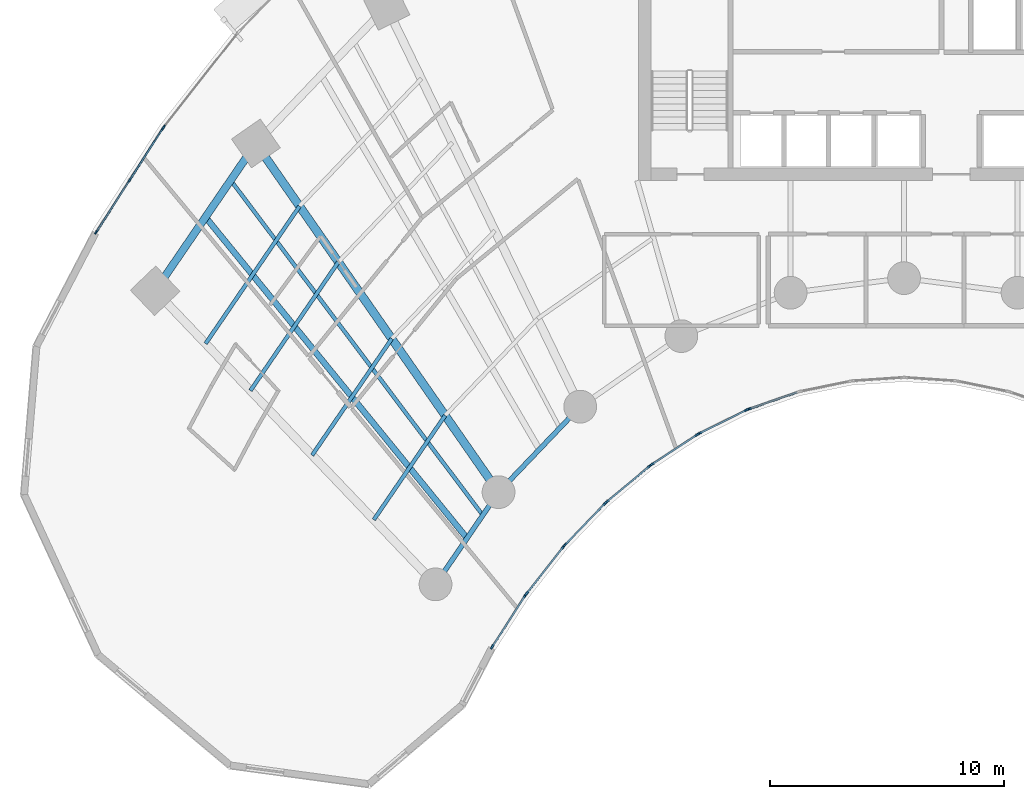
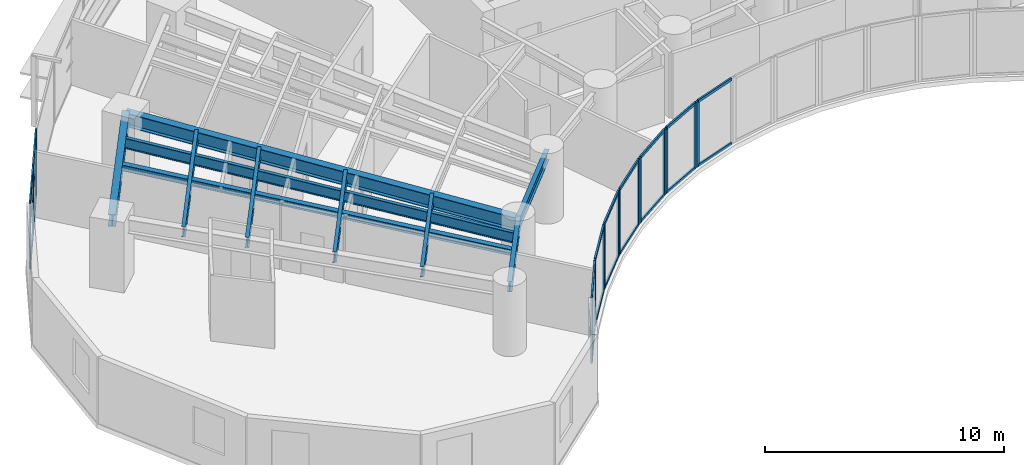
# One storey, part 2 of 17: 37 members, 10 beams, 9 elements without a shape of their own.
"""IFC4 building model written with IfcOpenShell, lengths in metres."""

from ifc_helpers import new_model, si_unit, direction, frame, origin, origin_2d, place, context, subcontext, project, spatial, rectangle, i_section, extrude, source, transform, mapped, material, layer, layer_set, material_profile, profile_set, type_object, type_shapes, element, aggregate, save


model = new_model("IFC4")

# Units and contexts
model_context = context("Model", 3, precision=1e-05, world=origin(), true_north=direction((0.0, 1.0)))
body_context = subcontext(model_context, "Body", "Model", "MODEL_VIEW")
ifc_project = project(units=[si_unit("LENGTHUNIT", "METRE"), si_unit("AREAUNIT", "SQUARE_METRE"), si_unit("VOLUMEUNIT", "CUBIC_METRE"), si_unit("PLANEANGLEUNIT", "RADIAN"), si_unit("MASSUNIT", "GRAM", prefix="KILO")], contexts=[model_context])

# Site, building, storey
site_placement = place(None, origin())
site = spatial("IfcSite", under=ifc_project, at=site_placement, CompositionType="ELEMENT")
building_placement = place(site_placement, origin())
building = spatial("IfcBuilding", under=site, at=building_placement, Name="Breltana Convention Tower", CompositionType="ELEMENT")
storey_placement = place(building_placement, frame((0.0, 0.0, 49.800048828125)))
storey = spatial("IfcBuildingStorey", under=building, at=storey_placement, Name="L10", CompositionType="ELEMENT", Elevation=49.800048828125)

# Beams
ifc_material_1 = material(Name="Steel ASTM A992 Grade 50", Category="steel")
ifc_material_profile_1 = material_profile(ifc_material_1, i_section(OverallWidth=0.323974609375, OverallDepth=0.611083984375, WebThickness=0.0126953125, FlangeThickness=0.01904296875, at=origin_2d()), Name="W24X104")
ifc_profile_set_1 = profile_set([ifc_material_profile_1], Name="Steel ASTM A992 Grade 50")
beam_type_1 = type_object("IfcBeamType", Name="BM-SP-W24X104", PredefinedType="SPANDREL", material=ifc_profile_set_1)
shared_shape_1 = source(origin(), body_context, "Body", "SweptSolid", [
    extrude(i_section(OverallWidth=0.323974609375, OverallDepth=0.611083984375, WebThickness=0.0126953125, FlangeThickness=0.01904296875, at=origin_2d()), origin(), (0.0, 0.0, 1.0), 7.625),
])
type_shapes(beam_type_1, [shared_shape_1])
beam_1_placement = place(storey_placement, frame((16.0068359375, 55.494384765625, 3.054443359375), z_axis=(0.564452031902, 0.825465870694, 0.0), x_axis=(-0.825465870694, 0.564452031902, 0.0)))
element("IfcBeam", 1, at=beam_1_placement, inside=storey, type_object=beam_type_1, Name="L10 Outer Spandrel Beam 01", PredefinedType="SPANDREL", context=body_context, shape_type="MappedRepresentation", body=[
    mapped(shared_shape_1, transform((0.0, 0.0, 0.0), scale=1.0)),
])
ifc_material_profile_2 = material_profile(ifc_material_1, i_section(OverallWidth=0.35498046875, OverallDepth=0.696044921875, WebThickness=0.015380859375, FlangeThickness=0.02490234375, at=origin_2d()), Name="W27X146")
ifc_profile_set_2 = profile_set([ifc_material_profile_2], Name="Steel ASTM A992 Grade 50")
beam_type_2 = type_object("IfcBeamType", Name="BM-RG-W27X146", PredefinedType="USERDEFINED", material=ifc_profile_set_2)
shared_shape_2 = source(origin(), body_context, "Body", "SweptSolid", [
    extrude(i_section(OverallWidth=0.35498046875, OverallDepth=0.696044921875, WebThickness=0.015380859375, FlangeThickness=0.02490234375, at=origin_2d()), origin(), (0.0, 0.0, 1.0), 18.1484375),
])
beam_2_placement = place(storey_placement, frame((30.67724609375, 46.892333984375, 3.011962890625), z_axis=(-0.571207556098, 0.820805657788, 0.0), x_axis=(-0.820805657788, -0.571207556098, 0.0)))
element("IfcBeam", 2, at=beam_2_placement, inside=storey, type_object=beam_type_2, Name="L10 Radial Floor Girder R02", ObjectType="GIRDER", PredefinedType="USERDEFINED", context=body_context, shape_type="MappedRepresentation", body=[
    mapped(shared_shape_2, transform((0.0, 0.0, 0.0), scale=1.0)),
])
ifc_material_profile_3 = material_profile(ifc_material_1, i_section(OverallWidth=0.2099609375, OverallDepth=0.537109375, WebThickness=0.010986328125, FlangeThickness=0.017333984375, at=origin_2d()), Name="W21X68")
ifc_profile_set_3 = profile_set([ifc_material_profile_3], Name="Steel ASTM A992 Grade 50")
beam_type_3 = type_object("IfcBeamType", Name="BM-BM-W21X68", PredefinedType="BEAM", material=ifc_profile_set_3)
shared_shape_3 = source(origin(), body_context, "Body", "SweptSolid", [
    extrude(i_section(OverallWidth=0.2099609375, OverallDepth=0.537109375, WebThickness=0.010986328125, FlangeThickness=0.017333984375, at=origin_2d()), origin(), (0.0, 0.0, 1.0), 4.770263671875),
])
beam_3_placement = place(storey_placement, frame((27.984619140625, 42.95458984375, 3.091552734375), z_axis=(0.564452719055, 0.82546540082, 0.0), x_axis=(-0.82546540082, 0.564452719055, 0.0)))
element("IfcBeam", 3, at=beam_3_placement, inside=storey, type_object=beam_type_3, Name="L10 Inner Ring Beam 01", PredefinedType="BEAM", context=body_context, shape_type="MappedRepresentation", body=[
    mapped(shared_shape_3, transform((0.0, 0.0, 0.0), scale=1.0)),
])
shared_shape_4 = source(origin(), body_context, "Body", "SweptSolid", [
    extrude(i_section(OverallWidth=0.2099609375, OverallDepth=0.537109375, WebThickness=0.010986328125, FlangeThickness=0.017333984375, at=origin_2d()), origin(), (0.0, 0.0, 1.0), 5.05126953125),
])
beam_4_placement = place(storey_placement, frame((30.67724609375, 46.892333984375, 3.091552734375), z_axis=(0.690729753845, 0.7231129975, 0.0), x_axis=(-0.7231129975, 0.690729753845, 0.0)))
element("IfcBeam", 4, at=beam_4_placement, inside=storey, type_object=beam_type_3, Name="L10 Inner Ring Beam 02", PredefinedType="BEAM", context=body_context, shape_type="MappedRepresentation", body=[
    mapped(shared_shape_4, transform((0.0, 0.0, 0.0), scale=1.0)),
])
ifc_material_profile_4 = material_profile(ifc_material_1, i_section(OverallWidth=0.166015625, OverallDepth=0.534912109375, WebThickness=0.01025390625, FlangeThickness=0.0166015625, at=origin_2d()), Name="W21X57")
ifc_profile_set_4 = profile_set([ifc_material_profile_4], Name="Steel ASTM A992 Grade 50")
beam_type_4 = type_object("IfcBeamType", Name="BM-JSG-05", PredefinedType="JOIST", material=ifc_profile_set_4)
shared_shape_5 = source(origin(), body_context, "Body", "SweptSolid", [
    extrude(i_section(OverallWidth=0.166015625, OverallDepth=0.534912109375, WebThickness=0.01025390625, FlangeThickness=0.0166015625, at=origin_2d()), origin(), (0.0, 0.0, 1.0), 5.3984375),
])
type_shapes(beam_type_4, [shared_shape_5])
beam_5_placement = place(storey_placement, frame((25.349365234375, 45.71337890625, 3.092529296875), z_axis=(0.564440705434, 0.825473615599, 0.0), x_axis=(-0.825473615599, 0.564440705434, 0.0)))
element("IfcBeam", 5, at=beam_5_placement, inside=storey, type_object=beam_type_4, Name="L10 Composite Floor Joist 01.1", PredefinedType="JOIST", context=body_context, shape_type="MappedRepresentation", body=[
    mapped(shared_shape_5, transform((0.0, 0.0, 0.0), scale=1.0)),
])
shared_shape_6 = source(origin(), body_context, "Body", "SweptSolid", [
    extrude(i_section(OverallWidth=0.166015625, OverallDepth=0.534912109375, WebThickness=0.01025390625, FlangeThickness=0.0166015625, at=origin_2d()), origin(), (0.0, 0.0, 1.0), 6.0263671875),
])
beam_6_placement = place(storey_placement, frame((22.71435546875, 48.47216796875, 3.092529296875), z_axis=(0.564450071397, 0.825467211281, 0.0), x_axis=(-0.825467211281, 0.564450071397, 0.0)))
element("IfcBeam", 6, at=beam_6_placement, inside=storey, type_object=beam_type_4, Name="L10 Composite Floor Joist 01.2", PredefinedType="JOIST", context=body_context, shape_type="MappedRepresentation", body=[
    mapped(shared_shape_6, transform((0.0, 0.0, 0.0), scale=1.0)),
])
shared_shape_7 = source(origin(), body_context, "Body", "SweptSolid", [
    extrude(i_section(OverallWidth=0.166015625, OverallDepth=0.534912109375, WebThickness=0.01025390625, FlangeThickness=0.0166015625, at=origin_2d()), origin(), (0.0, 0.0, 1.0), 6.654541015625),
])
beam_7_placement = place(storey_placement, frame((20.0791015625, 51.23095703125, 3.092529296875), z_axis=(0.564482668195, 0.82544492082, 0.0), x_axis=(-0.82544492082, 0.564482668195, 0.0)))
element("IfcBeam", 7, at=beam_7_placement, inside=storey, type_object=beam_type_4, Name="L10 Composite Floor Joist 01.3", PredefinedType="JOIST", context=body_context, shape_type="MappedRepresentation", body=[
    mapped(shared_shape_7, transform((0.0, 0.0, 0.0), scale=1.0)),
])
shared_shape_8 = source(origin(), body_context, "Body", "SweptSolid", [
    extrude(i_section(OverallWidth=0.166015625, OverallDepth=0.534912109375, WebThickness=0.01025390625, FlangeThickness=0.0166015625, at=origin_2d()), origin(), (0.0, 0.0, 1.0), 7.111328125),
])
beam_8_placement = place(storey_placement, frame((18.162841796875, 53.2373046875, 3.092529296875), z_axis=(0.564446356178, 0.825469751715, 0.0), x_axis=(-0.825469751715, 0.564446356178, 0.0)))
element("IfcBeam", 8, at=beam_8_placement, inside=storey, type_object=beam_type_4, Name="L10 Composite Floor Joist 01.4", PredefinedType="JOIST", context=body_context, shape_type="MappedRepresentation", body=[
    mapped(shared_shape_8, transform((0.0, 0.0, 0.0), scale=1.0)),
])
ifc_material_profile_5 = material_profile(ifc_material_1, i_section(OverallWidth=0.25390625, OverallDepth=0.305908203125, WebThickness=0.0087890625, FlangeThickness=0.0146484375, at=origin_2d()), Name="W12X53")
ifc_profile_set_5 = profile_set([ifc_material_profile_5], Name="Steel ASTM A992 Grade 50")
beam_type_5 = type_object("IfcBeamType", Name="BM-JSG-10", PredefinedType="JOIST", material=ifc_profile_set_5)
shared_shape_9 = source(origin(), body_context, "Body", "SweptSolid", [
    extrude(i_section(OverallWidth=0.25390625, OverallDepth=0.305908203125, WebThickness=0.0087890625, FlangeThickness=0.0146484375, at=origin_2d()), origin(), (0.0, 0.0, 1.0), 17.691650390625),
])
type_shapes(beam_type_5, [shared_shape_9])
beam_9_placement = place(storey_placement, frame((29.330810546875, 44.923583984375, 3.20703125), z_axis=(-0.631476958478, 0.775394642044, 0.0), x_axis=(-0.775394642044, -0.631476958478, 0.0)))
element("IfcBeam", 9, at=beam_9_placement, inside=storey, type_object=beam_type_5, Name="L10 Mid-Bay Radial Trimmer 01", PredefinedType="JOIST", context=body_context, shape_type="MappedRepresentation", body=[
    mapped(shared_shape_9, transform((0.0, 0.0, 0.0), scale=1.0)),
])
shared_shape_10 = source(origin(), body_context, "Body", "SweptSolid", [
    extrude(i_section(OverallWidth=0.166015625, OverallDepth=0.534912109375, WebThickness=0.01025390625, FlangeThickness=0.0166015625, at=origin_2d()), origin(), (0.0, 0.0, 1.0), 17.9072265625),
])
beam_10_placement = place(storey_placement, frame((30.00390625, 45.907958984375, 3.092529296875), z_axis=(-0.601382105028, 0.798961553363, 0.0), x_axis=(-0.798961553363, -0.601382105028, 0.0)))
element("IfcBeam", 10, at=beam_10_placement, inside=storey, type_object=beam_type_4, Name="L10 Quarter-Bay Radial Trimmer 01", PredefinedType="JOIST", context=body_context, shape_type="MappedRepresentation", body=[
    mapped(shared_shape_10, transform((0.0, 0.0, 0.0), scale=1.0)),
])

# Curtain wall, members
ifc_material_2 = material(Name="Aluminium Anodised Bronze Frame", Category="aluminium")
ifc_layer_1 = layer(ifc_material_2, 0.18994140625, Name="Aluminium Anodised Bronze Frame")
ifc_layer_set_1 = layer_set([ifc_layer_1], Name="Aluminium Anodised Bronze Frame")
curtain_wall_type_1 = type_object("IfcCurtainWallType", Name="CW-SYS-1", PredefinedType="NOTDEFINED", material=ifc_layer_set_1)
curtain_wall_1_placement = place(storey_placement, origin())
curtain_wall_1 = element("IfcCurtainWall", 11, at=curtain_wall_1_placement, inside=storey, type_object=curtain_wall_type_1, Name="L10 inner south-court glazing 16", PredefinedType="NOTDEFINED")
ifc_material_3 = material(Name="Aluminium Anodised Bronze", Category="aluminium")
ifc_material_profile_6 = material_profile(ifc_material_3, rectangle(XDim=0.080078125, YDim=0.139892578125, at=origin_2d()), Name="CWT-80X140")
ifc_profile_set_6 = profile_set([ifc_material_profile_6], Name="Aluminium Anodised Bronze")
member_type_1 = type_object("IfcMemberType", Name="CWT-140", PredefinedType="USERDEFINED", material=ifc_profile_set_6)
shared_shape_11 = source(origin(), body_context, "Body", "SweptSolid", [
    extrude(rectangle(XDim=0.080078125, YDim=0.139892578125, at=origin_2d()), origin(), (0.0, 0.0, 1.0), 2.38720703125),
])
type_shapes(member_type_1, [shared_shape_11])
member_1_placement = place(storey_placement, frame((35.2021484375, 46.385009765625, 0.0400390625), z_axis=(-0.694623715393, -0.719373264734, 0.0), x_axis=(0.719373264734, -0.694623715393, 0.0)))
member_1 = element("IfcMember", 12, at=member_1_placement, type_object=member_type_1, Name="CW-01 transom 1.1", ObjectType="TRANSOM", PredefinedType="USERDEFINED", context=body_context, shape_type="MappedRepresentation", body=[
    mapped(shared_shape_11, transform((0.0, 0.0, 0.0), scale=1.0)),
])
member_2_placement = place(storey_placement, frame((35.2021484375, 46.385009765625, 3.320068359375), z_axis=(-0.694623715393, -0.719373264734, 0.0), x_axis=(0.719373264734, -0.694623715393, 0.0)))
member_2 = element("IfcMember", 13, at=member_2_placement, type_object=member_type_1, Name="CW-01 transom 1.2", ObjectType="TRANSOM", PredefinedType="USERDEFINED", context=body_context, shape_type="MappedRepresentation", body=[
    mapped(shared_shape_11, transform((0.0, 0.0, 0.0), scale=1.0)),
])

curtain_wall_2_placement = place(storey_placement, origin())
curtain_wall_2 = element("IfcCurtainWall", 14, at=curtain_wall_2_placement, inside=storey, type_object=curtain_wall_type_1, Name="L10 inner south-court glazing 15", PredefinedType="NOTDEFINED")
shared_shape_12 = source(origin(), body_context, "Body", "SweptSolid", [
    extrude(rectangle(XDim=0.080078125, YDim=0.139892578125, at=origin_2d()), origin(), (0.0, 0.0, 1.0), 2.312255859375),
])
member_3_placement = place(storey_placement, frame((37.10888671875, 47.988037109375, 0.0400390625), z_axis=(-0.767900974507, -0.640568570374, 0.0), x_axis=(0.640568570374, -0.767900974507, 0.0)))
member_3 = element("IfcMember", 15, at=member_3_placement, type_object=member_type_1, Name="CW-01 transom 1.1", ObjectType="TRANSOM", PredefinedType="USERDEFINED", context=body_context, shape_type="MappedRepresentation", body=[
    mapped(shared_shape_12, transform((0.0, 0.0, 0.0), scale=1.0)),
])
member_4_placement = place(storey_placement, frame((37.10888671875, 47.988037109375, 3.320068359375), z_axis=(-0.767900974507, -0.640568570374, 0.0), x_axis=(0.640568570374, -0.767900974507, 0.0)))
member_4 = element("IfcMember", 16, at=member_4_placement, type_object=member_type_1, Name="CW-01 transom 1.2", ObjectType="TRANSOM", PredefinedType="USERDEFINED", context=body_context, shape_type="MappedRepresentation", body=[
    mapped(shared_shape_12, transform((0.0, 0.0, 0.0), scale=1.0)),
])

curtain_wall_3_placement = place(storey_placement, origin())
curtain_wall_3 = element("IfcCurtainWall", 17, at=curtain_wall_3_placement, inside=storey, type_object=curtain_wall_type_1, Name="L10 inner south-court glazing 14", PredefinedType="NOTDEFINED")
shared_shape_13 = source(origin(), body_context, "Body", "SweptSolid", [
    extrude(rectangle(XDim=0.080078125, YDim=0.139892578125, at=origin_2d()), origin(), (0.0, 0.0, 1.0), 2.2421875),
])
member_5_placement = place(storey_placement, frame((39.128173828125, 49.325927734375, 0.0400390625), z_axis=(-0.835982353773, -0.548756324957, 0.0), x_axis=(0.548756324957, -0.835982353773, 0.0)))
member_5 = element("IfcMember", 18, at=member_5_placement, type_object=member_type_1, Name="CW-01 transom 1.1", ObjectType="TRANSOM", PredefinedType="USERDEFINED", context=body_context, shape_type="MappedRepresentation", body=[
    mapped(shared_shape_13, transform((0.0, 0.0, 0.0), scale=1.0)),
])
member_6_placement = place(storey_placement, frame((39.128173828125, 49.325927734375, 3.320068359375), z_axis=(-0.835982353773, -0.548756324957, 0.0), x_axis=(0.548756324957, -0.835982353773, 0.0)))
member_6 = element("IfcMember", 19, at=member_6_placement, type_object=member_type_1, Name="CW-01 transom 1.2", ObjectType="TRANSOM", PredefinedType="USERDEFINED", context=body_context, shape_type="MappedRepresentation", body=[
    mapped(shared_shape_13, transform((0.0, 0.0, 0.0), scale=1.0)),
])

curtain_wall_4_placement = place(storey_placement, origin())
curtain_wall_4 = element("IfcCurtainWall", 20, at=curtain_wall_4_placement, inside=storey, type_object=curtain_wall_type_1, Name="L10 inner south-court glazing 13", PredefinedType="NOTDEFINED")
shared_shape_14 = source(origin(), body_context, "Body", "SweptSolid", [
    extrude(rectangle(XDim=0.080078125, YDim=0.139892578125, at=origin_2d()), origin(), (0.0, 0.0, 1.0), 2.180908203125),
])
member_7_placement = place(storey_placement, frame((41.239501953125, 50.384765625, 0.0400390625), z_axis=(-0.895922266369, -0.444210865045, 0.0), x_axis=(0.444210865045, -0.895922266369, 0.0)))
member_7 = element("IfcMember", 21, at=member_7_placement, type_object=member_type_1, Name="CW-01 transom 1.1", ObjectType="TRANSOM", PredefinedType="USERDEFINED", context=body_context, shape_type="MappedRepresentation", body=[
    mapped(shared_shape_14, transform((0.0, 0.0, 0.0), scale=1.0)),
])
member_8_placement = place(storey_placement, frame((41.239501953125, 50.384765625, 3.320068359375), z_axis=(-0.895922266369, -0.444210865045, 0.0), x_axis=(0.444210865045, -0.895922266369, 0.0)))
member_8 = element("IfcMember", 22, at=member_8_placement, type_object=member_type_1, Name="CW-01 transom 1.2", ObjectType="TRANSOM", PredefinedType="USERDEFINED", context=body_context, shape_type="MappedRepresentation", body=[
    mapped(shared_shape_14, transform((0.0, 0.0, 0.0), scale=1.0)),
])

curtain_wall_5_placement = place(storey_placement, origin())
curtain_wall_5 = element("IfcCurtainWall", 23, at=curtain_wall_5_placement, inside=storey, type_object=curtain_wall_type_1, Name="L10 inner south-court glazing 17", PredefinedType="NOTDEFINED")
shared_shape_15 = source(origin(), body_context, "Body", "SweptSolid", [
    extrude(rectangle(XDim=0.080078125, YDim=0.139892578125, at=origin_2d()), origin(), (0.0, 0.0, 1.0), 2.4638671875),
])
member_9_placement = place(storey_placement, frame((33.427001953125, 44.533447265625, 0.0400390625), z_axis=(-0.618184689608, -0.786032880695, 0.0), x_axis=(0.786032880695, -0.618184689608, 0.0)))
member_9 = element("IfcMember", 24, at=member_9_placement, type_object=member_type_1, Name="CW-01 transom 1.1", ObjectType="TRANSOM", PredefinedType="USERDEFINED", context=body_context, shape_type="MappedRepresentation", body=[
    mapped(shared_shape_15, transform((0.0, 0.0, 0.0), scale=1.0)),
])
member_10_placement = place(storey_placement, frame((33.427001953125, 44.533447265625, 3.320068359375), z_axis=(-0.618184689608, -0.786032880695, 0.0), x_axis=(0.786032880695, -0.618184689608, 0.0)))
member_10 = element("IfcMember", 25, at=member_10_placement, type_object=member_type_1, Name="CW-01 transom 1.2", ObjectType="TRANSOM", PredefinedType="USERDEFINED", context=body_context, shape_type="MappedRepresentation", body=[
    mapped(shared_shape_15, transform((0.0, 0.0, 0.0), scale=1.0)),
])

curtain_wall_6_placement = place(storey_placement, origin())
curtain_wall_6 = element("IfcCurtainWall", 26, at=curtain_wall_6_placement, inside=storey, type_object=curtain_wall_type_1, Name="L10 inner south-court glazing 18", PredefinedType="NOTDEFINED")
shared_shape_16 = source(origin(), body_context, "Body", "SweptSolid", [
    extrude(rectangle(XDim=0.080078125, YDim=0.139892578125, at=origin_2d()), origin(), (0.0, 0.0, 1.0), 2.53955078125),
])
member_11_placement = place(storey_placement, frame((31.801025390625, 42.452392578125, 0.0400390625), z_axis=(-0.540174413174, -0.841553090038, 0.0), x_axis=(0.841553090038, -0.540174413174, 0.0)))
member_11 = element("IfcMember", 27, at=member_11_placement, type_object=member_type_1, Name="CW-01 transom 1.1", ObjectType="TRANSOM", PredefinedType="USERDEFINED", context=body_context, shape_type="MappedRepresentation", body=[
    mapped(shared_shape_16, transform((0.0, 0.0, 0.0), scale=1.0)),
])
member_12_placement = place(storey_placement, frame((31.801025390625, 42.452392578125, 3.320068359375), z_axis=(-0.540174413174, -0.841553090038, 0.0), x_axis=(0.841553090038, -0.540174413174, 0.0)))
member_12 = element("IfcMember", 28, at=member_12_placement, type_object=member_type_1, Name="CW-01 transom 1.2", ObjectType="TRANSOM", PredefinedType="USERDEFINED", context=body_context, shape_type="MappedRepresentation", body=[
    mapped(shared_shape_16, transform((0.0, 0.0, 0.0), scale=1.0)),
])

curtain_wall_7_placement = place(storey_placement, origin())
curtain_wall_7 = element("IfcCurtainWall", 29, at=curtain_wall_7_placement, inside=storey, type_object=curtain_wall_type_1, Name="L10 inner south-court glazing 12", PredefinedType="NOTDEFINED")
shared_shape_17 = source(origin(), body_context, "Body", "SweptSolid", [
    extrude(rectangle(XDim=0.080078125, YDim=0.139892578125, at=origin_2d()), origin(), (0.0, 0.0, 1.0), 2.131103515625),
])
member_13_placement = place(storey_placement, frame((43.421630859375, 51.153076171875, 0.0400390625), z_axis=(-0.944847069856, -0.327511854112, 0.0), x_axis=(0.327511854112, -0.944847069856, 0.0)))
member_13 = element("IfcMember", 30, at=member_13_placement, type_object=member_type_1, Name="CW-01 transom 1.1", ObjectType="TRANSOM", PredefinedType="USERDEFINED", context=body_context, shape_type="MappedRepresentation", body=[
    mapped(shared_shape_17, transform((0.0, 0.0, 0.0), scale=1.0)),
])
member_14_placement = place(storey_placement, frame((43.421630859375, 51.153076171875, 3.320068359375), z_axis=(-0.944847069856, -0.327511854112, 0.0), x_axis=(0.327511854112, -0.944847069856, 0.0)))
member_14 = element("IfcMember", 31, at=member_14_placement, type_object=member_type_1, Name="CW-01 transom 1.2", ObjectType="TRANSOM", PredefinedType="USERDEFINED", context=body_context, shape_type="MappedRepresentation", body=[
    mapped(shared_shape_17, transform((0.0, 0.0, 0.0), scale=1.0)),
])

ifc_layer_2 = layer(ifc_material_2, 0.199951171875, Name="Aluminium Anodised Bronze Frame")
ifc_layer_set_2 = layer_set([ifc_layer_2], Name="Aluminium Anodised Bronze Frame")
curtain_wall_type_2 = type_object("IfcCurtainWallType", Name="CW-SYS-2", PredefinedType="NOTDEFINED", material=ifc_layer_set_2)
curtain_wall_8_placement = place(storey_placement, origin())
curtain_wall_8 = element("IfcCurtainWall", 32, at=curtain_wall_8_placement, inside=storey, type_object=curtain_wall_type_2, Name="L10 outer double-skin inner glazing 1", PredefinedType="NOTDEFINED")
ifc_material_profile_7 = material_profile(ifc_material_3, rectangle(XDim=0.070068359375, YDim=0.1201171875, at=origin_2d()), Name="CWT-70X120")
ifc_profile_set_7 = profile_set([ifc_material_profile_7], Name="Aluminium Anodised Bronze")
member_type_2 = type_object("IfcMemberType", Name="CWT-120", PredefinedType="USERDEFINED", material=ifc_profile_set_7)
shared_shape_18 = source(origin(), body_context, "Body", "SweptSolid", [
    extrude(rectangle(XDim=0.070068359375, YDim=0.1201171875, at=origin_2d()), origin(), (0.0, 0.0, 1.0), 2.56787109375),
])
type_shapes(member_type_2, [shared_shape_18])
member_15_placement = place(storey_placement, frame((13.505859375, 58.0234375, 0.034912109375), z_axis=(0.54022409371, 0.841521199124, 0.0), x_axis=(-0.841521199124, 0.54022409371, 0.0)))
member_15 = element("IfcMember", 33, at=member_15_placement, type_object=member_type_2, Name="CW-02 transom 1.1", ObjectType="TRANSOM", PredefinedType="USERDEFINED", context=body_context, shape_type="MappedRepresentation", body=[
    mapped(shared_shape_18, transform((0.0, 0.0, 0.0), scale=1.0)),
])
member_16_placement = place(storey_placement, frame((13.505859375, 58.0234375, 2.183837890625), z_axis=(0.54022409371, 0.841521199124, 0.0), x_axis=(-0.841521199124, 0.54022409371, 0.0)))
member_16 = element("IfcMember", 34, at=member_16_placement, type_object=member_type_2, Name="CW-02 transom 1.2", ObjectType="TRANSOM", PredefinedType="USERDEFINED", context=body_context, shape_type="MappedRepresentation", body=[
    mapped(shared_shape_18, transform((0.0, 0.0, 0.0), scale=1.0)),
])
member_17_placement = place(storey_placement, frame((13.505859375, 58.0234375, 3.324951171875), z_axis=(0.54022409371, 0.841521199124, 0.0), x_axis=(-0.841521199124, 0.54022409371, 0.0)))
member_17 = element("IfcMember", 35, at=member_17_placement, type_object=member_type_2, Name="CW-02 transom 1.3", ObjectType="TRANSOM", PredefinedType="USERDEFINED", context=body_context, shape_type="MappedRepresentation", body=[
    mapped(shared_shape_18, transform((0.0, 0.0, 0.0), scale=1.0)),
])
member_18_placement = place(storey_placement, frame((14.930908203125, 60.2431640625, 0.034912109375), z_axis=(0.540113540427, 0.841592159806, 0.0), x_axis=(-0.841592159806, 0.540113540427, 0.0)))
member_18 = element("IfcMember", 36, at=member_18_placement, type_object=member_type_2, Name="CW-02 transom 2.1", ObjectType="TRANSOM", PredefinedType="USERDEFINED", context=body_context, shape_type="MappedRepresentation", body=[
    mapped(shared_shape_18, transform((0.0, 0.0, 0.0), scale=1.0)),
])
member_19_placement = place(storey_placement, frame((14.930908203125, 60.2431640625, 2.183837890625), z_axis=(0.540113540427, 0.841592159806, 0.0), x_axis=(-0.841592159806, 0.540113540427, 0.0)))
member_19 = element("IfcMember", 37, at=member_19_placement, type_object=member_type_2, Name="CW-02 transom 2.2", ObjectType="TRANSOM", PredefinedType="USERDEFINED", context=body_context, shape_type="MappedRepresentation", body=[
    mapped(shared_shape_18, transform((0.0, 0.0, 0.0), scale=1.0)),
])
member_20_placement = place(storey_placement, frame((14.930908203125, 60.2431640625, 3.324951171875), z_axis=(0.540113540427, 0.841592159806, 0.0), x_axis=(-0.841592159806, 0.540113540427, 0.0)))
member_20 = element("IfcMember", 38, at=member_20_placement, type_object=member_type_2, Name="CW-02 transom 2.3", ObjectType="TRANSOM", PredefinedType="USERDEFINED", context=body_context, shape_type="MappedRepresentation", body=[
    mapped(shared_shape_18, transform((0.0, 0.0, 0.0), scale=1.0)),
])

# Member
ifc_material_profile_8 = material_profile(ifc_material_3, rectangle(XDim=0.080078125, YDim=0.199951171875, at=origin_2d()), Name="CWM-80X200")
ifc_profile_set_8 = profile_set([ifc_material_profile_8], Name="Aluminium Anodised Bronze")
member_type_3 = type_object("IfcMemberType", Name="CWM-200", PredefinedType="MULLION", material=ifc_profile_set_8)
shared_shape_19 = source(origin(), body_context, "Body", "SweptSolid", [
    extrude(rectangle(XDim=0.080078125, YDim=0.199951171875, at=origin_2d()), origin(), (0.0, 0.0, 1.0), 3.35986328125),
])
member_21_placement = place(storey_placement, frame((41.3701171875, 50.442138671875, 0.0), z_axis=(0.0, 0.0, 1.0), x_axis=(0.327413341714, -0.944881211406, 0.0)))
member_21 = element("IfcMember", 39, at=member_21_placement, type_object=member_type_3, Name="CW-01 mullion 2", PredefinedType="MULLION", context=body_context, shape_type="MappedRepresentation", body=[
    mapped(shared_shape_19, transform((0.0, 0.0, 0.0), scale=1.0)),
])

aggregate(curtain_wall_7, [member_21, member_13, member_14])

member_22_placement = place(storey_placement, frame((41.275390625, 50.40234375, 0.0), z_axis=(0.0, 0.0, 1.0), x_axis=(0.444117987602, -0.895968310315, 0.0)))
member_22 = element("IfcMember", 40, at=member_22_placement, type_object=member_type_3, Name="CW-01 mullion 1", PredefinedType="MULLION", context=body_context, shape_type="MappedRepresentation", body=[
    mapped(shared_shape_19, transform((0.0, 0.0, 0.0), scale=1.0)),
])

member_23_placement = place(storey_placement, frame((39.249755859375, 49.3984375, 0.0), z_axis=(0.0, 0.0, 1.0), x_axis=(0.444117987602, -0.895968310315, 0.0)))
member_23 = element("IfcMember", 41, at=member_23_placement, type_object=member_type_3, Name="CW-01 mullion 2", PredefinedType="MULLION", context=body_context, shape_type="MappedRepresentation", body=[
    mapped(shared_shape_19, transform((0.0, 0.0, 0.0), scale=1.0)),
])

aggregate(curtain_wall_4, [member_22, member_23, member_7, member_8])

member_24_placement = place(storey_placement, frame((39.16162109375, 49.347900390625, 0.0), z_axis=(0.0, 0.0, 1.0), x_axis=(0.548778278441, -0.835967942634, 0.0)))
member_24 = element("IfcMember", 42, at=member_24_placement, type_object=member_type_3, Name="CW-01 mullion 1", PredefinedType="MULLION", context=body_context, shape_type="MappedRepresentation", body=[
    mapped(shared_shape_19, transform((0.0, 0.0, 0.0), scale=1.0)),
])

member_25_placement = place(storey_placement, frame((37.220458984375, 48.073486328125, 0.0), z_axis=(0.0, 0.0, 1.0), x_axis=(0.548778278441, -0.835967942634, 0.0)))
member_25 = element("IfcMember", 43, at=member_25_placement, type_object=member_type_3, Name="CW-01 mullion 2", PredefinedType="MULLION", context=body_context, shape_type="MappedRepresentation", body=[
    mapped(shared_shape_19, transform((0.0, 0.0, 0.0), scale=1.0)),
])

aggregate(curtain_wall_3, [member_24, member_25, member_5, member_6])

member_26_placement = place(storey_placement, frame((37.1396484375, 48.013671875, 0.0), z_axis=(0.0, 0.0, 1.0), x_axis=(0.640522524458, -0.767939382804, 0.0)))
member_26 = element("IfcMember", 44, at=member_26_placement, type_object=member_type_3, Name="CW-01 mullion 1", PredefinedType="MULLION", context=body_context, shape_type="MappedRepresentation", body=[
    mapped(shared_shape_19, transform((0.0, 0.0, 0.0), scale=1.0)),
])

member_27_placement = place(storey_placement, frame((35.302734375, 46.481201171875, 0.0), z_axis=(0.0, 0.0, 1.0), x_axis=(0.640522524458, -0.767939382804, 0.0)))
member_27 = element("IfcMember", 45, at=member_27_placement, type_object=member_type_3, Name="CW-01 mullion 2", PredefinedType="MULLION", context=body_context, shape_type="MappedRepresentation", body=[
    mapped(shared_shape_19, transform((0.0, 0.0, 0.0), scale=1.0)),
])

aggregate(curtain_wall_2, [member_26, member_27, member_3, member_4])

member_28_placement = place(storey_placement, frame((35.22998046875, 46.413818359375, 0.0), z_axis=(0.0, 0.0, 1.0), x_axis=(0.719384548773, -0.694612029111, 0.0)))
member_28 = element("IfcMember", 46, at=member_28_placement, type_object=member_type_3, Name="CW-01 mullion 1", PredefinedType="MULLION", context=body_context, shape_type="MappedRepresentation", body=[
    mapped(shared_shape_19, transform((0.0, 0.0, 0.0), scale=1.0)),
])

member_29_placement = place(storey_placement, frame((33.51611328125, 44.638916015625, 0.0), z_axis=(0.0, 0.0, 1.0), x_axis=(0.719384548773, -0.694612029111, 0.0)))
member_29 = element("IfcMember", 47, at=member_29_placement, type_object=member_type_3, Name="CW-01 mullion 2", PredefinedType="MULLION", context=body_context, shape_type="MappedRepresentation", body=[
    mapped(shared_shape_19, transform((0.0, 0.0, 0.0), scale=1.0)),
])

aggregate(curtain_wall_1, [member_28, member_29, member_1, member_2])

member_30_placement = place(storey_placement, frame((33.45166015625, 44.56494140625, 0.0), z_axis=(0.0, 0.0, 1.0), x_axis=(0.786057762734, -0.61815305034, 0.0)))
member_30 = element("IfcMember", 48, at=member_30_placement, type_object=member_type_3, Name="CW-01 mullion 1", PredefinedType="MULLION", context=body_context, shape_type="MappedRepresentation", body=[
    mapped(shared_shape_19, transform((0.0, 0.0, 0.0), scale=1.0)),
])

member_31_placement = place(storey_placement, frame((31.87890625, 42.565185546875, 0.0), z_axis=(0.0, 0.0, 1.0), x_axis=(0.786057762734, -0.61815305034, 0.0)))
member_31 = element("IfcMember", 49, at=member_31_placement, type_object=member_type_3, Name="CW-01 mullion 2", PredefinedType="MULLION", context=body_context, shape_type="MappedRepresentation", body=[
    mapped(shared_shape_19, transform((0.0, 0.0, 0.0), scale=1.0)),
])

aggregate(curtain_wall_5, [member_30, member_31, member_9, member_10])

member_32_placement = place(storey_placement, frame((31.82275390625, 42.48583984375, 0.0), z_axis=(0.0, 0.0, 1.0), x_axis=(0.841556194767, -0.540169576197, 0.0)))
member_32 = element("IfcMember", 50, at=member_32_placement, type_object=member_type_3, Name="CW-01 mullion 1", PredefinedType="MULLION", context=body_context, shape_type="MappedRepresentation", body=[
    mapped(shared_shape_19, transform((0.0, 0.0, 0.0), scale=1.0)),
])

member_33_placement = place(storey_placement, frame((30.40771484375, 40.281494140625, 0.0), z_axis=(0.0, 0.0, 1.0), x_axis=(0.841556194767, -0.540169576197, 0.0)))
member_33 = element("IfcMember", 51, at=member_33_placement, type_object=member_type_3, Name="CW-01 mullion 2", PredefinedType="MULLION", context=body_context, shape_type="MappedRepresentation", body=[
    mapped(shared_shape_19, transform((0.0, 0.0, 0.0), scale=1.0)),
])

aggregate(curtain_wall_6, [member_32, member_33, member_11, member_12])

ifc_material_profile_9 = material_profile(ifc_material_3, rectangle(XDim=0.070068359375, YDim=0.175048828125, at=origin_2d()), Name="CWM-70X175")
ifc_profile_set_9 = profile_set([ifc_material_profile_9], Name="Aluminium Anodised Bronze")
member_type_4 = type_object("IfcMemberType", Name="CWM-175", PredefinedType="MULLION", material=ifc_profile_set_9)
shared_shape_20 = source(origin(), body_context, "Body", "SweptSolid", [
    extrude(rectangle(XDim=0.070068359375, YDim=0.175048828125, at=origin_2d()), origin(), (0.0, 0.0, 1.0), 3.35986328125),
])
member_34_placement = place(storey_placement, frame((13.487060546875, 57.993896484375, 0.0), z_axis=(0.0, 0.0, 1.0), x_axis=(-0.841549039154, 0.540180724109, 0.0)))
member_34 = element("IfcMember", 52, at=member_34_placement, type_object=member_type_4, Name="CW-02 mullion 1", PredefinedType="MULLION", context=body_context, shape_type="MappedRepresentation", body=[
    mapped(shared_shape_20, transform((0.0, 0.0, 0.0), scale=1.0)),
])

member_35_placement = place(storey_placement, frame((14.911865234375, 60.2138671875, 0.0), z_axis=(0.0, 0.0, 1.0), x_axis=(-0.841549039154, 0.540180724109, 0.0)))
member_35 = element("IfcMember", 53, at=member_35_placement, type_object=member_type_4, Name="CW-02 mullion 2", PredefinedType="MULLION", context=body_context, shape_type="MappedRepresentation", body=[
    mapped(shared_shape_20, transform((0.0, 0.0, 0.0), scale=1.0)),
])

member_36_placement = place(storey_placement, frame((16.3369140625, 62.43359375, 0.0), z_axis=(0.0, 0.0, 1.0), x_axis=(-0.841549039154, 0.540180724109, 0.0)))
member_36 = element("IfcMember", 54, at=member_36_placement, type_object=member_type_4, Name="CW-02 mullion 3", PredefinedType="MULLION", context=body_context, shape_type="MappedRepresentation", body=[
    mapped(shared_shape_20, transform((0.0, 0.0, 0.0), scale=1.0)),
])

aggregate(curtain_wall_8, [member_34, member_35, member_36, member_15, member_16, member_17, member_18, member_19, member_20])

# Curtain wall, member
curtain_wall_9_placement = place(storey_placement, origin())
curtain_wall_9 = element("IfcCurtainWall", 55, at=curtain_wall_9_placement, inside=storey, type_object=curtain_wall_type_2, Name="L10 outer double-skin inner glazing 2", PredefinedType="NOTDEFINED")
member_37_placement = place(storey_placement, frame((16.37744140625, 62.49072265625, 0.0), z_axis=(0.0, 0.0, 1.0), x_axis=(-0.786057080698, 0.618153917633, 0.0)))
member_37 = element("IfcMember", 56, at=member_37_placement, type_object=member_type_4, Name="CW-02 mullion 1", PredefinedType="MULLION", context=body_context, shape_type="MappedRepresentation", body=[
    mapped(shared_shape_20, transform((0.0, 0.0, 0.0), scale=1.0)),
])
aggregate(curtain_wall_9, [member_37])

save(model, "model.ifc")
